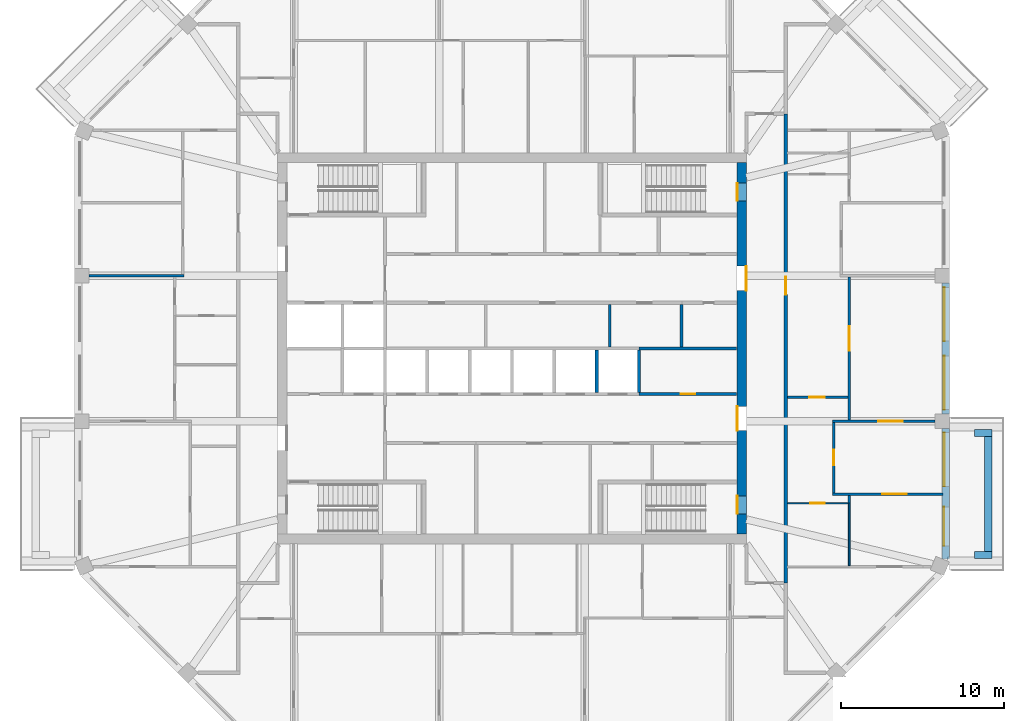
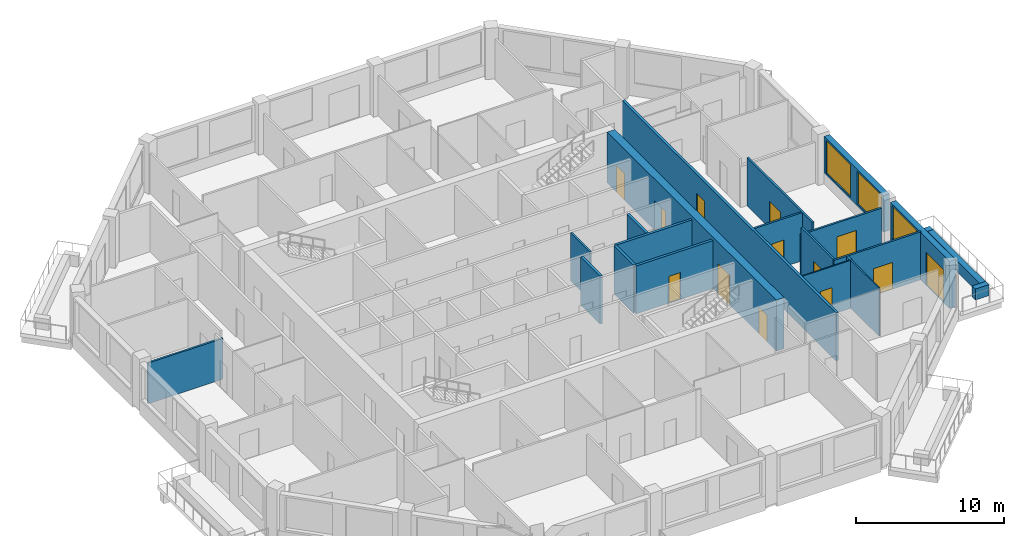
# One storey, part 6 of 11: 22 walls, 13 doors, 3 windows, 16 openings.
"""IFC4 building model written with IfcOpenShell, lengths in metres."""

from ifc_helpers import new_model, si_unit, direction, frame, frame_2d, origin, place, context, subcontext, project, spatial, rectangle, extrude, material, layer, layer_set, type_object, element, fill, save


model = new_model("IFC4")

# Units and contexts
model_context = context("Model", 3, precision=1e-05, world=origin(), true_north=direction((0.0, 1.0)))
body_context = subcontext(model_context, "Body", "Model", "MODEL_VIEW")
ifc_project = project(units=[si_unit("LENGTHUNIT", "METRE"), si_unit("AREAUNIT", "SQUARE_METRE"), si_unit("VOLUMEUNIT", "CUBIC_METRE"), si_unit("PLANEANGLEUNIT", "RADIAN"), si_unit("MASSUNIT", "GRAM", prefix="KILO")], contexts=[model_context])

# Site, building, storey
site_placement = place(None, origin())
site = spatial("IfcSite", under=ifc_project, at=site_placement, CompositionType="ELEMENT")
building_placement = place(site_placement, origin())
building = spatial("IfcBuilding", under=site, at=building_placement, Name="Msitu Wima Residences", CompositionType="ELEMENT")
storey_placement = place(building_placement, frame((0.0, 0.0, 297.89990234375)))
storey = spatial("IfcBuildingStorey", under=building, at=storey_placement, Name="L69", CompositionType="ELEMENT", Elevation=297.89990234375)

# Walls
ifc_material_1 = material(Name="Facing brick")
ifc_layer_1 = layer(ifc_material_1, 0.06494140625, Name="Facing brick")
ifc_material_2 = material(Name="Concrete C40/50", Category="concrete")
ifc_layer_2 = layer(ifc_material_2, 0.156005859375, Name="Concrete C40/50")
ifc_material_3 = material(Name="Waterproofing membrane")
ifc_layer_3 = layer(ifc_material_3, 0.00390625, Name="Waterproofing membrane")
ifc_material_4 = material(Name="Planting soil and planting")
ifc_layer_4 = layer(ifc_material_4, 0.22509765625, Name="Planting soil and planting")
ifc_layer_set_1 = layer_set([ifc_layer_1, ifc_layer_2, ifc_layer_3, ifc_layer_4], Name="Concrete C40/50")
wall_type_1 = type_object("IfcWallType", Name="Balcony planter PLANTER PL450", PredefinedType="USERDEFINED", material=ifc_layer_set_1)
wall_1_placement = place(storey_placement, frame((29.22509765625, -12.455810546875, 0.0), z_axis=(0.0, 0.0, 1.0), x_axis=(0.0, 1.0, 0.0)))
element("IfcWall", 1, at=wall_1_placement, inside=storey, type_object=wall_type_1, Name="Balcony planter E0 L69", ObjectType="PLANTER", PredefinedType="USERDEFINED", context=body_context, shape_type="SweptSolid", body=[
    extrude(rectangle(XDim=7.037109375, YDim=0.449951171875, at=frame_2d((3.5185546875, 0.0))), origin(), (0.0, 0.0, 1.0), 0.900146484375),
])
for number, where, z_axis, x_axis, name in (
    (2, (28.39990234375, -12.680908203125, 0.0), (0.0, 0.0, 1.0), (1.0, 0.0, 0.0), "Balcony planter E0 L69"),
    (3, (28.39990234375, -5.193603515625, 0.0), (0.0, 0.0, 1.0), (1.0, 0.0, 0.0), "Balcony planter E0 L69"),
):
    element("IfcWall", number, at=place(storey_placement, frame(where, z_axis=z_axis, x_axis=x_axis)), inside=storey, type_object=wall_type_1, Name=name, ObjectType="PLANTER", PredefinedType="USERDEFINED", context=body_context, shape_type="SweptSolid", body=[
        extrude(rectangle(XDim=1.050048828125, YDim=0.449951171875, at=frame_2d((0.52490234375, 0.0))), origin(), (0.0, 0.0, 1.0), 0.900146484375),
    ])

# Wall, openings, door, window
ifc_material_5 = material(Name="Brick (red buff mix)", Category="masonry")
ifc_layer_5 = layer(ifc_material_5, 0.449951171875)
ifc_layer_set_2 = layer_set([ifc_layer_5], Name="Brick (red buff mix)")
wall_type_2 = type_object("IfcWallType", Name="Brick infill wall BW450", PredefinedType="SOLIDWALL", material=ifc_layer_set_2)
wall_2_placement = place(storey_placement, frame((26.625, -12.918701171875, 0.0), z_axis=(0.0, 0.0, 1.0), x_axis=(0.0, 1.0, 0.0)))
wall_2 = element("IfcWall", 4, at=wall_2_placement, inside=storey, type_object=wall_type_2, Name="Brick infill wall L69 E0", PredefinedType="SOLIDWALL", context=body_context, shape_type="SweptSolid", body=[
    extrude(rectangle(XDim=8.0, YDim=0.449951171875, at=frame_2d((4.0, 0.0))), origin(), (0.0, 0.0, 1.0), 3.900146484375),
])
opening_1_placement = place(wall_2_placement, frame((0.800048828125, 0.0, 0.0)))
opening_1 = element("IfcOpeningElement", 5, at=opening_1_placement, cuts=wall_2, Name="Opening D68-70.001", PredefinedType="OPENING", context=body_context, shape_type="SweptSolid", body=[
    extrude(rectangle(XDim=2.39990234375, YDim=2.699951171875, at=frame_2d((1.199951171875, 1.35009765625))), frame((0.0, 0.23486328125, 0.0), z_axis=(0.0, -1.0, 0.0), x_axis=(1.0, 0.0, 0.0)), (0.0, 0.0, 1.0), 0.469970703125),
])
opening_2_placement = place(wall_2_placement, frame((4.4501953125, 0.0, 1.050048828125)))
opening_2 = element("IfcOpeningElement", 6, at=opening_2_placement, cuts=wall_2, Name="Opening W68-70.001", PredefinedType="OPENING", context=body_context, shape_type="SweptSolid", body=[
    extrude(rectangle(XDim=3.300048828125, YDim=2.699951171875, at=frame_2d((1.64990234375, 1.35009765625))), frame((0.0, 0.23486328125, 0.0), z_axis=(0.0, -1.0, 0.0), x_axis=(1.0, 0.0, 0.0)), (0.0, 0.0, 1.0), 0.469970703125),
])
ifc_material_6 = material(Name="Anodised aluminium, bronze finish, clear low-emissivity double glazing", Category="aluminium")
door_type_1 = type_object("IfcDoorType", Name="Balcony door D2400x2700", OperationType="SLIDING_TO_LEFT", PredefinedType="DOOR", material=ifc_material_6)
door_1_placement = place(opening_1_placement, origin())
door_1 = element("IfcDoor", 7, at=door_1_placement, inside=storey, type_object=door_type_1, Name="Balcony door L69 E0", OperationType="SINGLE_SWING_LEFT", OverallHeight=2.699951171875, OverallWidth=2.39990234375, PredefinedType="DOOR", context=body_context, shape_type="SweptSolid", body=[
    extrude(rectangle(XDim=2.39990234375, YDim=2.699951171875, at=frame_2d((1.199951171875, 1.35009765625))), frame((0.0, 0.1298828125, 0.0), z_axis=(0.0, -1.0, 0.0), x_axis=(1.0, 0.0, 0.0)), (0.0, 0.0, 1.0), 0.050048828125),
])
fill(opening_1, door_1)
window_type = type_object("IfcWindowType", Name="Window W3300x2700", PartitioningType="DOUBLE_PANEL_VERTICAL", PredefinedType="WINDOW", material=ifc_material_6)
window_1_placement = place(opening_2_placement, origin())
window_1 = element("IfcWindow", 8, at=window_1_placement, inside=storey, type_object=window_type, Name="Window L69 E0.2", OverallHeight=2.699951171875, OverallWidth=3.300048828125, PartitioningType="SINGLE_PANEL", PredefinedType="WINDOW", context=body_context, shape_type="SweptSolid", body=[
    extrude(rectangle(XDim=3.300048828125, YDim=2.699951171875, at=frame_2d((1.64990234375, 1.35009765625))), frame((0.0, 0.135009765625, 0.0), z_axis=(0.0, -1.0, 0.0), x_axis=(1.0, 0.0, 0.0)), (0.0, 0.0, 1.0), 0.06005859375),
])
fill(opening_2, window_1)

# Wall, openings, windows
wall_3_placement = place(storey_placement, frame((26.625, -4.0185546875, 0.900146484375), z_axis=(0.0, 0.0, 1.0), x_axis=(0.0, 1.0, 0.0)))
wall_3 = element("IfcWall", 9, at=wall_3_placement, inside=storey, type_object=wall_type_2, Name="Brick infill wall L69 E1", PredefinedType="SOLIDWALL", context=body_context, shape_type="SweptSolid", body=[
    extrude(rectangle(XDim=8.037109375, YDim=0.449951171875, at=frame_2d((4.0185546875, 0.0))), origin(), (0.0, 0.0, 1.0), 3.0),
])
opening_3_placement = place(wall_3_placement, frame((0.2685546875, 0.0, 0.14990234375)))
opening_3 = element("IfcOpeningElement", 10, at=opening_3_placement, cuts=wall_3, Name="Opening W68-70.002", PredefinedType="OPENING", context=body_context, shape_type="SweptSolid", body=[
    extrude(rectangle(XDim=3.300048828125, YDim=2.699951171875, at=frame_2d((1.64990234375, 1.35009765625))), frame((0.0, 0.23486328125, 0.0), z_axis=(0.0, -1.0, 0.0), x_axis=(1.0, 0.0, 0.0)), (0.0, 0.0, 1.0), 0.469970703125),
])
opening_4_placement = place(wall_3_placement, frame((4.46875, 0.0, 0.14990234375)))
opening_4 = element("IfcOpeningElement", 11, at=opening_4_placement, cuts=wall_3, Name="Opening W68-70.003", PredefinedType="OPENING", context=body_context, shape_type="SweptSolid", body=[
    extrude(rectangle(XDim=3.300048828125, YDim=2.699951171875, at=frame_2d((1.64990234375, 1.35009765625))), frame((0.0, 0.23486328125, 0.0), z_axis=(0.0, -1.0, 0.0), x_axis=(1.0, 0.0, 0.0)), (0.0, 0.0, 1.0), 0.469970703125),
])
window_2_placement = place(opening_3_placement, origin())
window_2 = element("IfcWindow", 12, at=window_2_placement, inside=storey, type_object=window_type, Name="Window L69 E1.1", OverallHeight=2.699951171875, OverallWidth=3.300048828125, PartitioningType="SINGLE_PANEL", PredefinedType="WINDOW", context=body_context, shape_type="SweptSolid", body=[
    extrude(rectangle(XDim=3.300048828125, YDim=2.699951171875, at=frame_2d((1.64990234375, 1.35009765625))), frame((0.0, 0.135009765625, 0.0), z_axis=(0.0, -1.0, 0.0), x_axis=(1.0, 0.0, 0.0)), (0.0, 0.0, 1.0), 0.06005859375),
])
fill(opening_3, window_2)
window_3_placement = place(opening_4_placement, origin())
window_3 = element("IfcWindow", 13, at=window_3_placement, inside=storey, type_object=window_type, Name="Window L69 E1.2", OverallHeight=2.699951171875, OverallWidth=3.300048828125, PartitioningType="SINGLE_PANEL", PredefinedType="WINDOW", context=body_context, shape_type="SweptSolid", body=[
    extrude(rectangle(XDim=3.300048828125, YDim=2.699951171875, at=frame_2d((1.64990234375, 1.35009765625))), frame((0.0, 0.135009765625, 0.0), z_axis=(0.0, -1.0, 0.0), x_axis=(1.0, 0.0, 0.0)), (0.0, 0.0, 1.0), 0.06005859375),
])
fill(opening_4, window_3)

# Wall, openings, doors
ifc_material_7 = material(Name="Concrete C50/60", Category="concrete")
ifc_layer_6 = layer(ifc_material_7, 0.60009765625)
ifc_layer_set_3 = layer_set([ifc_layer_6], Name="Concrete C50/60")
wall_type_3 = type_object("IfcWallType", Name="Core wall CW600 C50/60", PredefinedType="SHEAR", material=ifc_layer_set_3)
wall_4_placement = place(storey_placement, frame((14.10009765625, -11.39990234375, 0.0), z_axis=(0.0, 0.0, 1.0), x_axis=(0.0, 1.0, 0.0)))
wall_4 = element("IfcWall", 14, at=wall_4_placement, inside=storey, type_object=wall_type_3, Name="Core wall", PredefinedType="SHEAR", context=body_context, shape_type="SweptSolid", body=[
    extrude(rectangle(XDim=22.7998046875, YDim=0.60009765625, at=frame_2d((11.39990234375, 0.0))), origin(), (0.0, 0.0, 1.0), 4.2001953125),
])
opening_5_placement = place(wall_4_placement, frame((20.449951171875, 0.0, 0.0)))
opening_5 = element("IfcOpeningElement", 15, at=opening_5_placement, cuts=wall_4, Name="Opening D68-70.082", PredefinedType="OPENING", context=body_context, shape_type="SweptSolid", body=[
    extrude(rectangle(XDim=1.10009765625, YDim=2.199951171875, at=frame_2d((0.550048828125, 1.10009765625))), frame((0.0, 0.31005859375, 0.0), z_axis=(0.0, -1.0, 0.0), x_axis=(1.0, 0.0, 0.0)), (0.0, 0.0, 1.0), 0.6201171875),
])
opening_6_placement = place(wall_4_placement, frame((1.25, 0.0, 0.0)))
opening_6 = element("IfcOpeningElement", 16, at=opening_6_placement, cuts=wall_4, Name="Opening D68-70.083", PredefinedType="OPENING", context=body_context, shape_type="SweptSolid", body=[
    extrude(rectangle(XDim=1.10009765625, YDim=2.199951171875, at=frame_2d((0.550048828125, 1.10009765625))), frame((0.0, 0.31005859375, 0.0), z_axis=(0.0, -1.0, 0.0), x_axis=(1.0, 0.0, 0.0)), (0.0, 0.0, 1.0), 0.6201171875),
])
opening_7_placement = place(wall_4_placement, frame((14.949951171875, 0.0, 0.0)))
opening_7 = element("IfcOpeningElement", 17, at=opening_7_placement, cuts=wall_4, Name="Opening D68-70.071", PredefinedType="OPENING", context=body_context, shape_type="SweptSolid", body=[
    extrude(rectangle(XDim=1.5, YDim=2.39990234375, at=frame_2d((0.75, 1.199951171875))), frame((0.0, 0.31005859375, 0.0), z_axis=(0.0, -1.0, 0.0), x_axis=(1.0, 0.0, 0.0)), (0.0, 0.0, 1.0), 0.6201171875),
])
opening_8_placement = place(wall_4_placement, frame((6.35009765625, 0.0, 0.0)))
opening_8 = element("IfcOpeningElement", 18, at=opening_8_placement, cuts=wall_4, Name="Opening D68-70.072", PredefinedType="OPENING", context=body_context, shape_type="SweptSolid", body=[
    extrude(rectangle(XDim=1.5, YDim=2.39990234375, at=frame_2d((0.75, 1.199951171875))), frame((0.0, 0.31005859375, 0.0), z_axis=(0.0, -1.0, 0.0), x_axis=(1.0, 0.0, 0.0)), (0.0, 0.0, 1.0), 0.6201171875),
])
ifc_material_8 = material(Name="Steel framed glazed door, fire resisting", Category="steel")
door_type_2 = type_object("IfcDoorType", Name="Lobby door D07 1500x2400", OperationType="DOUBLE_DOOR_SINGLE_SWING", PredefinedType="DOOR", material=ifc_material_8)
door_2_placement = place(opening_7_placement, origin())
door_2 = element("IfcDoor", 19, at=door_2_placement, inside=storey, type_object=door_type_2, Name="Lobby door", OperationType="DOUBLE_DOOR_SINGLE_SWING", OverallHeight=2.39990234375, OverallWidth=1.5, PredefinedType="DOOR", context=body_context, shape_type="SweptSolid", body=[
    extrude(rectangle(XDim=1.5, YDim=2.39990234375, at=frame_2d((0.75, 1.199951171875))), frame((0.0, -0.2451171875, 0.0), z_axis=(0.0, -1.0, 0.0), x_axis=(1.0, 0.0, 0.0)), (0.0, 0.0, 1.0), 0.050048828125),
])
fill(opening_7, door_2)
door_3_placement = place(opening_8_placement, origin())
door_3 = element("IfcDoor", 20, at=door_3_placement, inside=storey, type_object=door_type_2, Name="Lobby door", OperationType="DOUBLE_DOOR_SINGLE_SWING", OverallHeight=2.39990234375, OverallWidth=1.5, PredefinedType="DOOR", context=body_context, shape_type="SweptSolid", body=[
    extrude(rectangle(XDim=1.5, YDim=2.39990234375, at=frame_2d((0.75, 1.199951171875))), frame((0.0, 0.294921875, 0.0), z_axis=(0.0, -1.0, 0.0), x_axis=(1.0, 0.0, 0.0)), (0.0, 0.0, 1.0), 0.050048828125),
])
fill(opening_8, door_3)
ifc_material_9 = material(Name="Steel door, fire resisting, panic bar", Category="steel")
door_type_3 = type_object("IfcDoorType", Name="Stair door D06 1100x2200", OperationType="SINGLE_SWING_LEFT", PredefinedType="DOOR", material=ifc_material_9)
door_4_placement = place(opening_5_placement, origin())
door_4 = element("IfcDoor", 21, at=door_4_placement, inside=storey, type_object=door_type_3, Name="Stair door", OperationType="SINGLE_SWING_LEFT", OverallHeight=2.199951171875, OverallWidth=1.10009765625, PredefinedType="DOOR", context=body_context, shape_type="SweptSolid", body=[
    extrude(rectangle(XDim=1.10009765625, YDim=2.199951171875, at=frame_2d((0.550048828125, 1.10009765625))), frame((0.0, 0.294921875, 0.0), z_axis=(0.0, -1.0, 0.0), x_axis=(1.0, 0.0, 0.0)), (0.0, 0.0, 1.0), 0.050048828125),
])
fill(opening_5, door_4)
door_5_placement = place(opening_6_placement, origin())
door_5 = element("IfcDoor", 22, at=door_5_placement, inside=storey, type_object=door_type_3, Name="Stair door", OperationType="SINGLE_SWING_RIGHT", OverallHeight=2.199951171875, OverallWidth=1.10009765625, PredefinedType="DOOR", context=body_context, shape_type="SweptSolid", body=[
    extrude(rectangle(XDim=1.10009765625, YDim=2.199951171875, at=frame_2d((0.550048828125, 1.10009765625))), frame((0.0, 0.294921875, 0.0), z_axis=(0.0, -1.0, 0.0), x_axis=(1.0, 0.0, 0.0)), (0.0, 0.0, 1.0), 0.050048828125),
])
fill(opening_6, door_5)

# Wall, opening, door
ifc_material_10 = material(Name="Plaster")
ifc_layer_7 = layer(ifc_material_10, 0.011962890625, Name="Plaster")
ifc_material_11 = material(Name="Concrete blockwork", Category="masonry")
ifc_layer_8 = layer(ifc_material_11, 0.176025390625, Name="Concrete blockwork")
ifc_layer_9 = layer(ifc_material_10, 0.011962890625, Name="Plaster")
ifc_layer_set_4 = layer_set([ifc_layer_7, ifc_layer_8, ifc_layer_9], Name="Concrete blockwork")
wall_type_4 = type_object("IfcWallType", Name="Corridor wall FW200", PredefinedType="PARTITIONING", material=ifc_layer_set_4)
wall_5_placement = place(storey_placement, frame((16.800048828125, -14.39990234375, 0.0), z_axis=(0.0, 0.0, 1.0), x_axis=(0.0, 1.0, 0.0)))
wall_5 = element("IfcWall", 23, at=wall_5_placement, inside=storey, type_object=wall_type_4, Name="Corridor wall", PredefinedType="PARTITIONING", context=body_context, shape_type="SweptSolid", body=[
    extrude(rectangle(XDim=28.7998046875, YDim=0.199951171875, at=frame_2d((14.39990234375, 0.0))), origin(), (0.0, 0.0, 1.0), 3.9501953125),
])
opening_9_placement = place(wall_5_placement, frame((17.699951171875, 0.0, 0.0)))
opening_9 = element("IfcOpeningElement", 24, at=opening_9_placement, cuts=wall_5, Name="Opening D68-70.008", PredefinedType="OPENING", context=body_context, shape_type="SweptSolid", body=[
    extrude(rectangle(XDim=1.10009765625, YDim=2.39990234375, at=frame_2d((0.550048828125, 1.199951171875))), frame((0.0, 0.10986328125, 0.0), z_axis=(0.0, -1.0, 0.0), x_axis=(1.0, 0.0, 0.0)), (0.0, 0.0, 1.0), 0.219970703125),
])
ifc_material_12 = material(Name="Timber flush door, fire resisting, self-closing", Category="wood")
door_type_4 = type_object("IfcDoorType", Name="Flat entrance door D01 1100x2400", OperationType="SINGLE_SWING_LEFT", PredefinedType="DOOR", material=ifc_material_12)
door_6_placement = place(opening_9_placement, origin())
door_6 = element("IfcDoor", 25, at=door_6_placement, inside=storey, type_object=door_type_4, Name="Flat entrance door", OperationType="SINGLE_SWING_LEFT", OverallHeight=2.39990234375, OverallWidth=1.10009765625, PredefinedType="DOOR", context=body_context, shape_type="SweptSolid", body=[
    extrude(rectangle(XDim=1.10009765625, YDim=2.39990234375, at=frame_2d((0.550048828125, 1.199951171875))), frame((0.0, 0.02490234375, 0.0), z_axis=(0.0, -1.0, 0.0), x_axis=(1.0, 0.0, 0.0)), (0.0, 0.0, 1.0), 0.050048828125),
])
fill(opening_9, door_6)

# Walls
ifc_layer_10 = layer(ifc_material_10, 0.011962890625, Name="Plaster")
ifc_layer_11 = layer(ifc_material_11, 0.1259765625, Name="Concrete blockwork")
ifc_layer_12 = layer(ifc_material_10, 0.011962890625, Name="Plaster")
ifc_layer_set_5 = layer_set([ifc_layer_10, ifc_layer_11, ifc_layer_12], Name="Concrete blockwork")
wall_type_5 = type_object("IfcWallType", Name="Partition PW150", PredefinedType="PARTITIONING", material=ifc_layer_set_5)
wall_6_placement = place(storey_placement, frame((-25.949951171875, 4.46875, 0.0), z_axis=(0.0, 0.0, 1.0), x_axis=(1.0, 0.0, 0.0)))
element("IfcWall", 26, at=wall_6_placement, inside=storey, type_object=wall_type_5, Name="Partition", PredefinedType="PARTITIONING", context=body_context, shape_type="SweptSolid", body=[
    extrude(rectangle(XDim=5.824951171875, YDim=0.14990234375, at=frame_2d((2.91259765625, 0.0))), origin(), (0.0, 0.0, 1.0), 3.35009765625),
])
wall_7_placement = place(storey_placement, frame((6.0, 0.10009765625, 0.0), z_axis=(0.0, 0.0, 1.0), x_axis=(0.0, 1.0, 0.0)))
element("IfcWall", 27, at=wall_7_placement, inside=storey, type_object=wall_type_5, Name="Partition", PredefinedType="PARTITIONING", context=body_context, shape_type="SweptSolid", body=[
    extrude(rectangle(XDim=2.599853515625, YDim=0.14990234375, at=frame_2d((1.2998046875, 0.0))), origin(), (0.0, 0.0, 1.0), 3.9501953125),
])

# Wall, opening, door
wall_8_placement = place(storey_placement, frame((16.89990234375, -3.0, 0.0), z_axis=(0.0, 0.0, 1.0), x_axis=(1.0, 0.0, 0.0)))
wall_8 = element("IfcWall", 28, at=wall_8_placement, inside=storey, type_object=wall_type_5, Name="Partition", PredefinedType="PARTITIONING", context=body_context, shape_type="SweptSolid", body=[
    extrude(rectangle(XDim=3.72509765625, YDim=0.14990234375, at=frame_2d((1.862548828125, 0.0))), origin(), (0.0, 0.0, 1.0), 3.9501953125),
])
opening_10_placement = place(wall_8_placement, frame((1.35009765625, 0.0, 0.0)))
opening_10 = element("IfcOpeningElement", 29, at=opening_10_placement, cuts=wall_8, Name="Opening D68-70.009", PredefinedType="OPENING", context=body_context, shape_type="SweptSolid", body=[
    extrude(rectangle(XDim=0.949951171875, YDim=2.199951171875, at=frame_2d((0.47509765625, 1.10009765625))), frame((0.0, 0.0849609375, 0.0), z_axis=(0.0, -1.0, 0.0), x_axis=(1.0, 0.0, 0.0)), (0.0, 0.0, 1.0), 0.169921875),
])
ifc_material_13 = material(Name="Timber flush door", Category="wood")
door_type_5 = type_object("IfcDoorType", Name="Room door D12 950x2200", OperationType="SINGLE_SWING_LEFT", PredefinedType="DOOR", material=ifc_material_13)
door_7_placement = place(opening_10_placement, origin())
door_7 = element("IfcDoor", 30, at=door_7_placement, inside=storey, type_object=door_type_5, Name="Room door", OperationType="SINGLE_SWING_RIGHT", OverallHeight=2.199951171875, OverallWidth=0.949951171875, PredefinedType="DOOR", context=body_context, shape_type="SweptSolid", body=[
    extrude(rectangle(XDim=0.949951171875, YDim=2.199951171875, at=frame_2d((0.47509765625, 1.10009765625))), frame((0.0, 0.02490234375, 0.0), z_axis=(0.0, -1.0, 0.0), x_axis=(1.0, 0.0, 0.0)), (0.0, 0.0, 1.0), 0.050048828125),
])
fill(opening_10, door_7)

wall_9_placement = place(storey_placement, frame((19.75, -8.8623046875, 0.0), z_axis=(0.0, 0.0, 1.0), x_axis=(0.0, 1.0, 0.0)))
wall_9 = element("IfcWall", 31, at=wall_9_placement, inside=storey, type_object=wall_type_5, Name="Partition", PredefinedType="PARTITIONING", context=body_context, shape_type="SweptSolid", body=[
    extrude(rectangle(XDim=4.318603515625, YDim=0.14990234375, at=frame_2d((2.1591796875, 0.0))), origin(), (0.0, 0.0, 1.0), 3.9501953125),
])
opening_11_placement = place(wall_9_placement, frame((1.699951171875, 0.0, 0.0)))
opening_11 = element("IfcOpeningElement", 32, at=opening_11_placement, cuts=wall_9, Name="Opening D68-70.012", PredefinedType="OPENING", context=body_context, shape_type="SweptSolid", body=[
    extrude(rectangle(XDim=0.949951171875, YDim=2.199951171875, at=frame_2d((0.47509765625, 1.10009765625))), frame((0.0, 0.0849609375, 0.0), z_axis=(0.0, -1.0, 0.0), x_axis=(1.0, 0.0, 0.0)), (0.0, 0.0, 1.0), 0.169921875),
])
door_8_placement = place(opening_11_placement, origin())
door_8 = element("IfcDoor", 33, at=door_8_placement, inside=storey, type_object=door_type_5, Name="Room door", OperationType="SINGLE_SWING_LEFT", OverallHeight=2.199951171875, OverallWidth=0.949951171875, PredefinedType="DOOR", context=body_context, shape_type="SweptSolid", body=[
    extrude(rectangle(XDim=0.949951171875, YDim=2.199951171875, at=frame_2d((0.47509765625, 1.10009765625))), frame((0.0, 0.02490234375, 0.0), z_axis=(0.0, -1.0, 0.0), x_axis=(1.0, 0.0, 0.0)), (0.0, 0.0, 1.0), 0.050048828125),
])
fill(opening_11, door_8)

wall_10_placement = place(storey_placement, frame((19.675048828125, -8.937255859375, 0.0), z_axis=(0.0, 0.0, 1.0), x_axis=(1.0, 0.0, 0.0)))
wall_10 = element("IfcWall", 34, at=wall_10_placement, inside=storey, type_object=wall_type_5, Name="Partition", PredefinedType="PARTITIONING", context=body_context, shape_type="SweptSolid", body=[
    extrude(rectangle(XDim=6.780029296875, YDim=0.14990234375, at=frame_2d((3.39013671875, 0.0))), origin(), (0.0, 0.0, 1.0), 3.9501953125),
])
opening_12_placement = place(wall_10_placement, frame((3.050048828125, 0.0, 0.0)))
opening_12 = element("IfcOpeningElement", 35, at=opening_12_placement, cuts=wall_10, Name="Opening D68-70.010", PredefinedType="OPENING", context=body_context, shape_type="SweptSolid", body=[
    extrude(rectangle(XDim=1.5, YDim=2.199951171875, at=frame_2d((0.75, 1.10009765625))), frame((0.0, 0.0849609375, 0.0), z_axis=(0.0, -1.0, 0.0), x_axis=(1.0, 0.0, 0.0)), (0.0, 0.0, 1.0), 0.169921875),
])
ifc_material_14 = material(Name="Timber double door", Category="wood")
door_type_6 = type_object("IfcDoorType", Name="Double door D04 1500x2200", OperationType="DOUBLE_DOOR_SINGLE_SWING", PredefinedType="DOOR", material=ifc_material_14)
door_9_placement = place(opening_12_placement, origin())
door_9 = element("IfcDoor", 36, at=door_9_placement, inside=storey, type_object=door_type_6, Name="Double door", OperationType="DOUBLE_DOOR_SINGLE_SWING", OverallHeight=2.199951171875, OverallWidth=1.5, PredefinedType="DOOR", context=body_context, shape_type="SweptSolid", body=[
    extrude(rectangle(XDim=1.5, YDim=2.199951171875, at=frame_2d((0.75, 1.10009765625))), frame((0.0, 0.02490234375, 0.0), z_axis=(0.0, -1.0, 0.0), x_axis=(1.0, 0.0, 0.0)), (0.0, 0.0, 1.0), 0.050048828125),
])
fill(opening_12, door_9)

wall_11_placement = place(storey_placement, frame((19.675048828125, -4.46875, 0.0), z_axis=(0.0, 0.0, 1.0), x_axis=(1.0, 0.0, 0.0)))
wall_11 = element("IfcWall", 37, at=wall_11_placement, inside=storey, type_object=wall_type_5, Name="Partition", PredefinedType="PARTITIONING", context=body_context, shape_type="SweptSolid", body=[
    extrude(rectangle(XDim=6.27490234375, YDim=0.14990234375, at=frame_2d((3.137451171875, 0.0))), origin(), (0.0, 0.0, 1.0), 3.35009765625),
])
opening_13_placement = place(wall_11_placement, frame((2.800048828125, 0.0, 0.0)))
opening_13 = element("IfcOpeningElement", 38, at=opening_13_placement, cuts=wall_11, Name="Opening D68-70.020", PredefinedType="OPENING", context=body_context, shape_type="SweptSolid", body=[
    extrude(rectangle(XDim=1.5, YDim=2.199951171875, at=frame_2d((0.75, 1.10009765625))), frame((0.0, 0.0849609375, 0.0), z_axis=(0.0, -1.0, 0.0), x_axis=(1.0, 0.0, 0.0)), (0.0, 0.0, 1.0), 0.169921875),
])
door_10_placement = place(opening_13_placement, origin())
door_10 = element("IfcDoor", 39, at=door_10_placement, inside=storey, type_object=door_type_6, Name="Double door", OperationType="DOUBLE_DOOR_SINGLE_SWING", OverallHeight=2.199951171875, OverallWidth=1.5, PredefinedType="DOOR", context=body_context, shape_type="SweptSolid", body=[
    extrude(rectangle(XDim=1.5, YDim=2.199951171875, at=frame_2d((0.75, 1.10009765625))), frame((0.0, 0.02490234375, 0.0), z_axis=(0.0, -1.0, 0.0), x_axis=(1.0, 0.0, 0.0)), (0.0, 0.0, 1.0), 0.050048828125),
])
fill(opening_13, door_10)

# Wall
wall_12_placement = place(storey_placement, frame((20.699951171875, -9.5, 0.0), z_axis=(0.0, 0.0, 1.0), x_axis=(0.0, 1.0, 0.0)))
element("IfcWall", 40, at=wall_12_placement, inside=storey, type_object=wall_type_5, Name="Partition", PredefinedType="PARTITIONING", context=body_context, shape_type="SweptSolid", body=[
    extrude(rectangle(XDim=0.48779296875, YDim=0.14990234375, at=frame_2d((0.243896484375, 0.0))), origin(), (0.0, 0.0, 1.0), 3.9501953125),
])

# Wall, opening, door
wall_13_placement = place(storey_placement, frame((20.699951171875, -4.3935546875, 0.0), z_axis=(0.0, 0.0, 1.0), x_axis=(0.0, 1.0, 0.0)))
wall_13 = element("IfcWall", 41, at=wall_13_placement, inside=storey, type_object=wall_type_5, Name="Partition", PredefinedType="PARTITIONING", context=body_context, shape_type="SweptSolid", body=[
    extrude(rectangle(XDim=8.787109375, YDim=0.14990234375, at=frame_2d((4.3935546875, 0.0))), origin(), (0.0, 0.0, 1.0), 3.9501953125),
])
opening_14_placement = place(wall_13_placement, frame((4.25, 0.0, 0.0)))
opening_14 = element("IfcOpeningElement", 42, at=opening_14_placement, cuts=wall_13, Name="Opening D68-70.014", PredefinedType="OPENING", context=body_context, shape_type="SweptSolid", body=[
    extrude(rectangle(XDim=1.5, YDim=2.199951171875, at=frame_2d((0.75, 1.10009765625))), frame((0.0, 0.0849609375, 0.0), z_axis=(0.0, -1.0, 0.0), x_axis=(1.0, 0.0, 0.0)), (0.0, 0.0, 1.0), 0.169921875),
])
door_11_placement = place(opening_14_placement, origin())
door_11 = element("IfcDoor", 43, at=door_11_placement, inside=storey, type_object=door_type_6, Name="Double door", OperationType="DOUBLE_DOOR_SINGLE_SWING", OverallHeight=2.199951171875, OverallWidth=1.5, PredefinedType="DOOR", context=body_context, shape_type="SweptSolid", body=[
    extrude(rectangle(XDim=1.5, YDim=2.199951171875, at=frame_2d((0.75, 1.10009765625))), frame((0.0, 0.02490234375, 0.0), z_axis=(0.0, -1.0, 0.0), x_axis=(1.0, 0.0, 0.0)), (0.0, 0.0, 1.0), 0.050048828125),
])
fill(opening_14, door_11)

ifc_layer_13 = layer(ifc_material_10, 0.011962890625, Name="Plaster")
ifc_material_15 = material(Name="Reinforced concrete blockwork", Category="masonry")
ifc_layer_14 = layer(ifc_material_15, 0.176025390625, Name="Reinforced concrete blockwork")
ifc_layer_15 = layer(ifc_material_10, 0.011962890625, Name="Plaster")
ifc_layer_set_6 = layer_set([ifc_layer_13, ifc_layer_14, ifc_layer_15], Name="Reinforced concrete blockwork")
wall_type_6 = type_object("IfcWallType", Name="Plant and riser wall PL200", PredefinedType="PARTITIONING", material=ifc_layer_set_6)
wall_14_placement = place(storey_placement, frame((7.800048828125, -2.800048828125, 0.0), z_axis=(0.0, 0.0, 1.0), x_axis=(1.0, 0.0, 0.0)))
wall_14 = element("IfcWall", 44, at=wall_14_placement, inside=storey, type_object=wall_type_6, Name="Plant and riser wall", PredefinedType="PARTITIONING", context=body_context, shape_type="SweptSolid", body=[
    extrude(rectangle(XDim=5.969970703125, YDim=0.199951171875, at=frame_2d((2.98486328125, 0.0))), origin(), (0.0, 0.0, 1.0), 3.9501953125),
])
opening_15_placement = place(wall_14_placement, frame((2.550048828125, 0.0, 0.0)))
opening_15 = element("IfcOpeningElement", 45, at=opening_15_placement, cuts=wall_14, Name="Opening D68-70.057", PredefinedType="OPENING", context=body_context, shape_type="SweptSolid", body=[
    extrude(rectangle(XDim=0.89990234375, YDim=2.199951171875, at=frame_2d((0.449951171875, 1.10009765625))), frame((0.0, 0.10986328125, 0.0), z_axis=(0.0, -1.0, 0.0), x_axis=(1.0, 0.0, 0.0)), (0.0, 0.0, 1.0), 0.219970703125),
])
door_type_7 = type_object("IfcDoorType", Name="Service door D05 900x2200", OperationType="SINGLE_SWING_LEFT", PredefinedType="DOOR", material=ifc_material_13)
door_12_placement = place(opening_15_placement, origin())
door_12 = element("IfcDoor", 46, at=door_12_placement, inside=storey, type_object=door_type_7, Name="Service door", OperationType="SINGLE_SWING_LEFT", OverallHeight=2.199951171875, OverallWidth=0.89990234375, PredefinedType="DOOR", context=body_context, shape_type="SweptSolid", body=[
    extrude(rectangle(XDim=0.89990234375, YDim=2.199951171875, at=frame_2d((0.449951171875, 1.10009765625))), frame((0.0, 0.02490234375, 0.0), z_axis=(0.0, -1.0, 0.0), x_axis=(1.0, 0.0, 0.0)), (0.0, 0.0, 1.0), 0.050048828125),
])
fill(opening_15, door_12)

# Walls
wall_15_placement = place(storey_placement, frame((7.800048828125, 0.0, 0.0), z_axis=(0.0, 0.0, 1.0), x_axis=(1.0, 0.0, 0.0)))
element("IfcWall", 47, at=wall_15_placement, inside=storey, type_object=wall_type_6, Name="Plant and riser wall", PredefinedType="PARTITIONING", context=body_context, shape_type="SweptSolid", body=[
    extrude(rectangle(XDim=5.969970703125, YDim=0.199951171875, at=frame_2d((2.98486328125, 0.0))), origin(), (0.0, 0.0, 1.0), 3.9501953125),
])
wall_16_placement = place(storey_placement, frame((10.39990234375, 0.10009765625, 0.0), z_axis=(0.0, 0.0, 1.0), x_axis=(0.0, 1.0, 0.0)))
element("IfcWall", 48, at=wall_16_placement, inside=storey, type_object=wall_type_6, Name="Plant and riser wall", PredefinedType="PARTITIONING", context=body_context, shape_type="SweptSolid", body=[
    extrude(rectangle(XDim=2.599853515625, YDim=0.199951171875, at=frame_2d((1.2998046875, 0.0))), origin(), (0.0, 0.0, 1.0), 3.9501953125),
])
ifc_material_16 = material(Name="Fire-rated board")
ifc_layer_16 = layer(ifc_material_16, 0.02490234375, Name="Fire-rated board")
ifc_material_17 = material(Name="Light-gauge stud framing with mineral wool")
ifc_layer_17 = layer(ifc_material_17, 0.14990234375, Name="Light-gauge stud framing with mineral wool")
ifc_layer_18 = layer(ifc_material_16, 0.02490234375, Name="Fire-rated board")
ifc_layer_set_7 = layer_set([ifc_layer_16, ifc_layer_17, ifc_layer_18], Name="Light-gauge stud framing with mineral wool")
wall_type_7 = type_object("IfcWallType", Name="Shaft wall SH200", PredefinedType="PARTITIONING", material=ifc_layer_set_7)
for number, where, z_axis, x_axis, name in (
    (49, (5.199951171875, -2.699951171875, 0.0), (0.0, 0.0, 1.0), (0.0, 1.0, 0.0), "Shaft wall"),
    (50, (7.800048828125, -2.699951171875, 0.0), (0.0, 0.0, 1.0), (0.0, 1.0, 0.0), "Shaft wall"),
):
    element("IfcWall", number, at=place(storey_placement, frame(where, z_axis=z_axis, x_axis=x_axis)), inside=storey, type_object=wall_type_7, Name=name, PredefinedType="PARTITIONING", context=body_context, shape_type="SweptSolid", body=[
        extrude(rectangle(XDim=2.599853515625, YDim=0.199951171875, at=frame_2d((1.2998046875, 0.0))), origin(), (0.0, 0.0, 1.0), 3.9501953125),
    ])

# Wall, opening, door
ifc_material_18 = material(Name="Ceramic tiles")
ifc_layer_19 = layer(ifc_material_18, 0.008056640625, Name="Ceramic tiles")
ifc_material_19 = material(Name="Moisture-resistant board")
ifc_layer_20 = layer(ifc_material_19, 0.012451171875, Name="Moisture-resistant board")
ifc_layer_21 = layer(ifc_material_17, 0.06689453125, Name="Light-gauge stud framing with mineral wool")
ifc_layer_22 = layer(ifc_material_19, 0.012451171875, Name="Moisture-resistant board")
ifc_layer_set_8 = layer_set([ifc_layer_19, ifc_layer_20, ifc_layer_21, ifc_layer_22], Name="Light-gauge stud framing with mineral wool")
wall_type_8 = type_object("IfcWallType", Name="Wet wall PW100", PredefinedType="PARTITIONING", material=ifc_layer_set_8)
wall_17_placement = place(storey_placement, frame((16.89990234375, -9.5, 0.0), z_axis=(0.0, 0.0, 1.0), x_axis=(1.0, 0.0, 0.0)))
wall_17 = element("IfcWall", 51, at=wall_17_placement, inside=storey, type_object=wall_type_8, Name="Wet wall", PredefinedType="PARTITIONING", context=body_context, shape_type="SweptSolid", body=[
    extrude(rectangle(XDim=3.72509765625, YDim=0.10009765625, at=frame_2d((1.862548828125, 0.0))), origin(), (0.0, 0.0, 1.0), 3.9501953125),
])
opening_16_placement = place(wall_17_placement, frame((1.39990234375, 0.0, 0.0)))
opening_16 = element("IfcOpeningElement", 52, at=opening_16_placement, cuts=wall_17, Name="Opening D68-70.018", PredefinedType="OPENING", context=body_context, shape_type="SweptSolid", body=[
    extrude(rectangle(XDim=0.89990234375, YDim=2.199951171875, at=frame_2d((0.449951171875, 1.10009765625))), frame((0.0, 0.06005859375, 0.0), z_axis=(0.0, -1.0, 0.0), x_axis=(1.0, 0.0, 0.0)), (0.0, 0.0, 1.0), 0.1201171875),
])
door_13_placement = place(opening_16_placement, origin())
door_13 = element("IfcDoor", 53, at=door_13_placement, inside=storey, type_object=door_type_7, Name="Service door", OperationType="SINGLE_SWING_LEFT", OverallHeight=2.199951171875, OverallWidth=0.89990234375, PredefinedType="DOOR", context=body_context, shape_type="SweptSolid", body=[
    extrude(rectangle(XDim=0.89990234375, YDim=2.199951171875, at=frame_2d((0.449951171875, 1.10009765625))), frame((0.0, 0.02490234375, 0.0), z_axis=(0.0, -1.0, 0.0), x_axis=(1.0, 0.0, 0.0)), (0.0, 0.0, 1.0), 0.050048828125),
])
fill(opening_16, door_13)

# Wall
wall_18_placement = place(storey_placement, frame((20.699951171875, -13.330810546875, 0.0), z_axis=(0.0, 0.0, 1.0), x_axis=(0.0, 1.0, 0.0)))
element("IfcWall", 54, at=wall_18_placement, inside=storey, type_object=wall_type_8, Name="Wet wall", PredefinedType="PARTITIONING", context=body_context, shape_type="SweptSolid", body=[
    extrude(rectangle(XDim=3.830810546875, YDim=0.10009765625, at=frame_2d((1.91552734375, 0.0))), origin(), (0.0, 0.0, 1.0), 3.9501953125),
])

save(model, "model.ifc")
